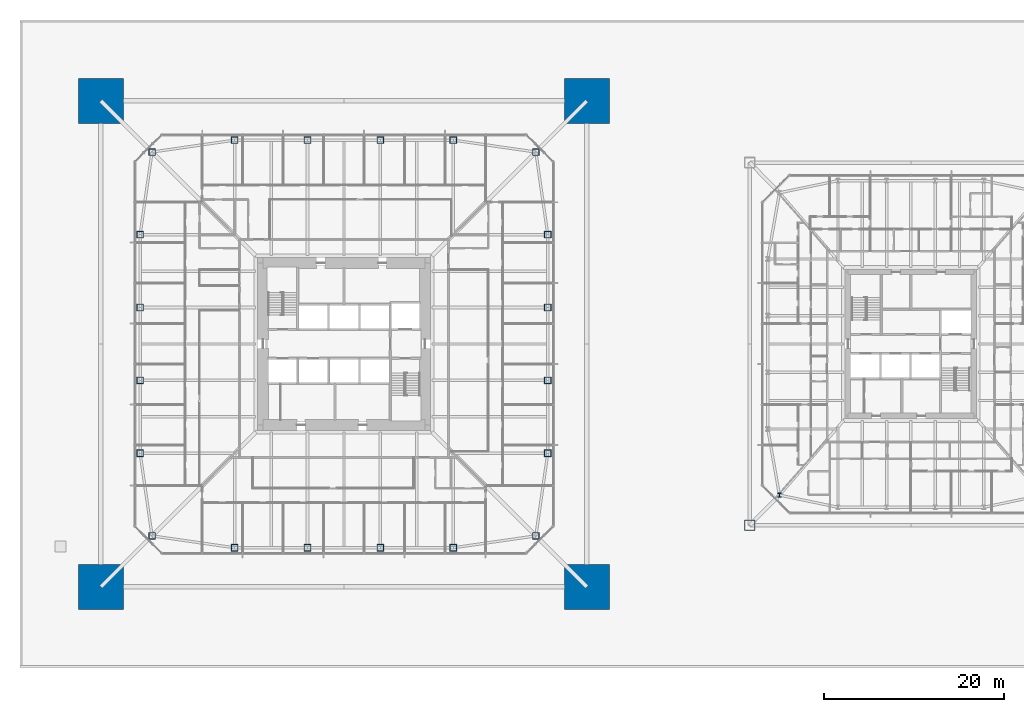
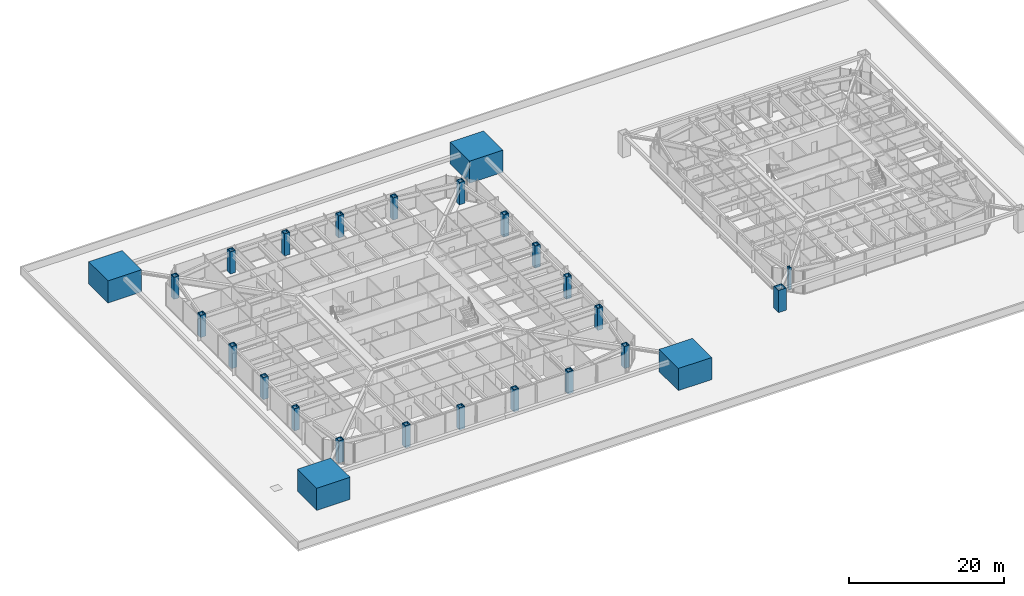
# One storey, part 1 of 31: 26 columns.
"""IFC4 building model written with IfcOpenShell, lengths in metres."""

from ifc_helpers import new_model, si_unit, direction, frame, origin, origin_2d, place, context, subcontext, project, spatial, rectangle, hollow_rectangle, i_section, extrude, material, material_profile, profile_set, type_object, element, save


model = new_model("IFC4")

# Units and contexts
model_context = context("Model", 3, precision=1e-05, world=origin(), true_north=direction((0.0, 1.0)))
body_context = subcontext(model_context, "Body", "Model", "MODEL_VIEW")
ifc_project = project(units=[si_unit("LENGTHUNIT", "METRE"), si_unit("AREAUNIT", "SQUARE_METRE"), si_unit("VOLUMEUNIT", "CUBIC_METRE"), si_unit("PLANEANGLEUNIT", "RADIAN"), si_unit("MASSUNIT", "GRAM", prefix="KILO")], contexts=[model_context])

# Site, building, storey
site_placement = place(None, origin())
site = spatial("IfcSite", under=ifc_project, at=site_placement, CompositionType="ELEMENT")
building_placement = place(site_placement, origin())
building = spatial("IfcBuilding", under=site, at=building_placement, Name="Iwan Alto Co-Living Towers", CompositionType="ELEMENT")
storey_placement = place(building_placement, frame((0.0, 0.0, 15.0)))
storey = spatial("IfcBuildingStorey", under=building, at=storey_placement, Name="L03", CompositionType="ELEMENT", Elevation=15.0)

# Columns
ifc_material_1 = material(Name="Concrete f'c 70 MPa", Category="concrete")
ifc_material_profile_1 = material_profile(ifc_material_1, rectangle(XDim=5.0, YDim=5.0, at=origin_2d()), Name="RC 5000X5000")
ifc_profile_set_1 = profile_set([ifc_material_profile_1], Name="Concrete f'c 70 MPa")
column_type_1 = type_object("IfcColumnType", Name="T1 MEGA COLUMN RC 5000X5000", PredefinedType="COLUMN", material=ifc_profile_set_1)
for number, where, z_axis, x_axis, name in (
    (1, (-27.0, -27.0, 0.0), (0.0, 0.0, 1.0), (1.0, 0.0, 0.0), "T1 mega column SW L03"),
    (2, (27.0, -27.0, 0.0), (0.0, 0.0, 1.0), (1.0, 0.0, 0.0), "T1 mega column SE L03"),
    (3, (27.0, 27.0, 0.0), (0.0, 0.0, 1.0), (1.0, 0.0, 0.0), "T1 mega column NE L03"),
    (4, (-27.0, 27.0, 0.0), (0.0, 0.0, 1.0), (1.0, 0.0, 0.0), "T1 mega column NW L03"),
):
    element("IfcColumn", number, at=place(storey_placement, frame(where, z_axis=z_axis, x_axis=x_axis)), inside=storey, type_object=column_type_1, Name=name, PredefinedType="COLUMN", context=body_context, shape_type="SweptSolid", body=[
        extrude(rectangle(XDim=5.0, YDim=5.0, at=origin_2d()), origin(), (0.0, 0.0, 1.0), 3.5),
        extrude(i_section(OverallWidth=0.4775390625, OverallDepth=0.599365234375, WebThickness=0.10009765625, FlangeThickness=0.139892578125, at=origin_2d()), origin(), (0.0, 0.0, 1.0), 3.5),
    ])
ifc_material_2 = material(Name="Steel ASTM A572 Gr 50", Category="steel")
ifc_material_profile_2 = material_profile(ifc_material_2, hollow_rectangle(XDim=0.800048828125, YDim=0.800048828125, WallThickness=0.090087890625, at=origin_2d()), Name="BOX 800X800X90")
ifc_profile_set_2 = profile_set([ifc_material_profile_2], Name="Steel ASTM A572 Gr 50")
column_type_2 = type_object("IfcColumnType", Name="T1 RING COLUMN BOX 800X800X90", PredefinedType="COLUMN", material=ifc_profile_set_2)
for number, where, z_axis, x_axis, name in (
    (5, (-21.32568359375, -21.32568359375, 0.0), (0.0, 0.0, 1.0), (1.0, 0.0, 0.0), "T1 ring column CSW L03"),
    (6, (-12.14990234375, -22.64990234375, 0.0), (0.0, 0.0, 1.0), (1.0, 0.0, 0.0), "T1 ring column S1 L03"),
    (7, (-4.050048828125, -22.64990234375, 0.0), (0.0, 0.0, 1.0), (1.0, 0.0, 0.0), "T1 ring column S2 L03"),
    (8, (4.050048828125, -22.64990234375, 0.0), (0.0, 0.0, 1.0), (1.0, 0.0, 0.0), "T1 ring column S3 L03"),
    (9, (12.14990234375, -22.64990234375, 0.0), (0.0, 0.0, 1.0), (1.0, 0.0, 0.0), "T1 ring column S4 L03"),
    (10, (21.32568359375, -21.32568359375, 0.0), (0.0, 0.0, 1.0), (1.0, 0.0, 0.0), "T1 ring column CSE L03"),
    (11, (22.64990234375, -12.14990234375, 0.0), (0.0, 0.0, 1.0), (1.0, 0.0, 0.0), "T1 ring column E1 L03"),
    (12, (22.64990234375, -4.050048828125, 0.0), (0.0, 0.0, 1.0), (1.0, 0.0, 0.0), "T1 ring column E2 L03"),
    (13, (22.64990234375, 4.050048828125, 0.0), (0.0, 0.0, 1.0), (1.0, 0.0, 0.0), "T1 ring column E3 L03"),
    (14, (22.64990234375, 12.14990234375, 0.0), (0.0, 0.0, 1.0), (1.0, 0.0, 0.0), "T1 ring column E4 L03"),
    (15, (21.32568359375, 21.32568359375, 0.0), (0.0, 0.0, 1.0), (1.0, 0.0, 0.0), "T1 ring column CNE L03"),
    (16, (12.14990234375, 22.64990234375, 0.0), (0.0, 0.0, 1.0), (1.0, 0.0, 0.0), "T1 ring column N1 L03"),
    (17, (4.050048828125, 22.64990234375, 0.0), (0.0, 0.0, 1.0), (1.0, 0.0, 0.0), "T1 ring column N2 L03"),
    (18, (-4.050048828125, 22.64990234375, 0.0), (0.0, 0.0, 1.0), (1.0, 0.0, 0.0), "T1 ring column N3 L03"),
    (19, (-12.14990234375, 22.64990234375, 0.0), (0.0, 0.0, 1.0), (1.0, 0.0, 0.0), "T1 ring column N4 L03"),
    (20, (-21.32568359375, 21.32568359375, 0.0), (0.0, 0.0, 1.0), (1.0, 0.0, 0.0), "T1 ring column CNW L03"),
    (21, (-22.64990234375, 12.14990234375, 0.0), (0.0, 0.0, 1.0), (1.0, 0.0, 0.0), "T1 ring column W1 L03"),
    (22, (-22.64990234375, 4.050048828125, 0.0), (0.0, 0.0, 1.0), (1.0, 0.0, 0.0), "T1 ring column W2 L03"),
    (23, (-22.64990234375, -4.050048828125, 0.0), (0.0, 0.0, 1.0), (1.0, 0.0, 0.0), "T1 ring column W3 L03"),
    (24, (-22.64990234375, -12.14990234375, 0.0), (0.0, 0.0, 1.0), (1.0, 0.0, 0.0), "T1 ring column W4 L03"),
):
    element("IfcColumn", number, at=place(storey_placement, frame(where, z_axis=z_axis, x_axis=x_axis)), inside=storey, type_object=column_type_2, Name=name, PredefinedType="COLUMN", context=body_context, shape_type="SweptSolid", body=[
        extrude(hollow_rectangle(XDim=0.800048828125, YDim=0.800048828125, WallThickness=0.090087890625, at=origin_2d()), origin(), (0.0, 0.0, 1.0), 3.5),
    ])
ifc_material_3 = material(Name="Steel ASTM A572 Gr 50", Category="steel")
ifc_material_profile_3 = material_profile(ifc_material_3, hollow_rectangle(XDim=1.199951171875, YDim=1.199951171875, WallThickness=0.070068359375, at=origin_2d()), Name="BOX 1200X1200X70")
ifc_profile_set_3 = profile_set([ifc_material_profile_3], Name="Steel ASTM A572 Gr 50")
column_type_3 = type_object("IfcColumnType", Name="T2 MEGA COLUMN BOX 1200X1200X70", PredefinedType="COLUMN", material=ifc_profile_set_3)
column_1_placement = place(storey_placement, frame((45.10009765625, -20.14990234375, 0.0), z_axis=(0.0, 0.0, 1.0), x_axis=(1.0, 0.0, 0.0)))
element("IfcColumn", 25, at=column_1_placement, inside=storey, type_object=column_type_3, Name="T2 mega column SW L03", PredefinedType="COLUMN", context=body_context, shape_type="SweptSolid", body=[
    extrude(hollow_rectangle(XDim=1.199951171875, YDim=1.199951171875, WallThickness=0.070068359375, at=origin_2d()), origin(), (0.0, 0.0, 1.0), 3.5),
])
ifc_material_4 = material(Name="Steel ASTM A992 Gr 50", Category="steel")
ifc_material_profile_4 = material_profile(ifc_material_4, i_section(OverallWidth=0.424072265625, OverallDepth=0.47509765625, WebThickness=0.0478515625, FlangeThickness=0.0771484375, at=origin_2d()), Name="W14X426")
ifc_profile_set_4 = profile_set([ifc_material_profile_4], Name="Steel ASTM A992 Gr 50")
column_type_4 = type_object("IfcColumnType", Name="T2 RING COLUMN W14X426", PredefinedType="COLUMN", material=ifc_profile_set_4)
column_2_placement = place(storey_placement, frame((48.393798828125, -16.797119140625, 0.0), z_axis=(0.0, 0.0, 1.0), x_axis=(1.0, 0.0, 0.0)))
element("IfcColumn", 26, at=column_2_placement, inside=storey, type_object=column_type_4, Name="T2 ring column CSW L03", PredefinedType="COLUMN", context=body_context, shape_type="SweptSolid", body=[
    extrude(i_section(OverallWidth=0.424072265625, OverallDepth=0.47509765625, WebThickness=0.0478515625, FlangeThickness=0.0771484375, at=origin_2d()), origin(), (0.0, 0.0, 1.0), 3.5),
])

save(model, "model.ifc")
